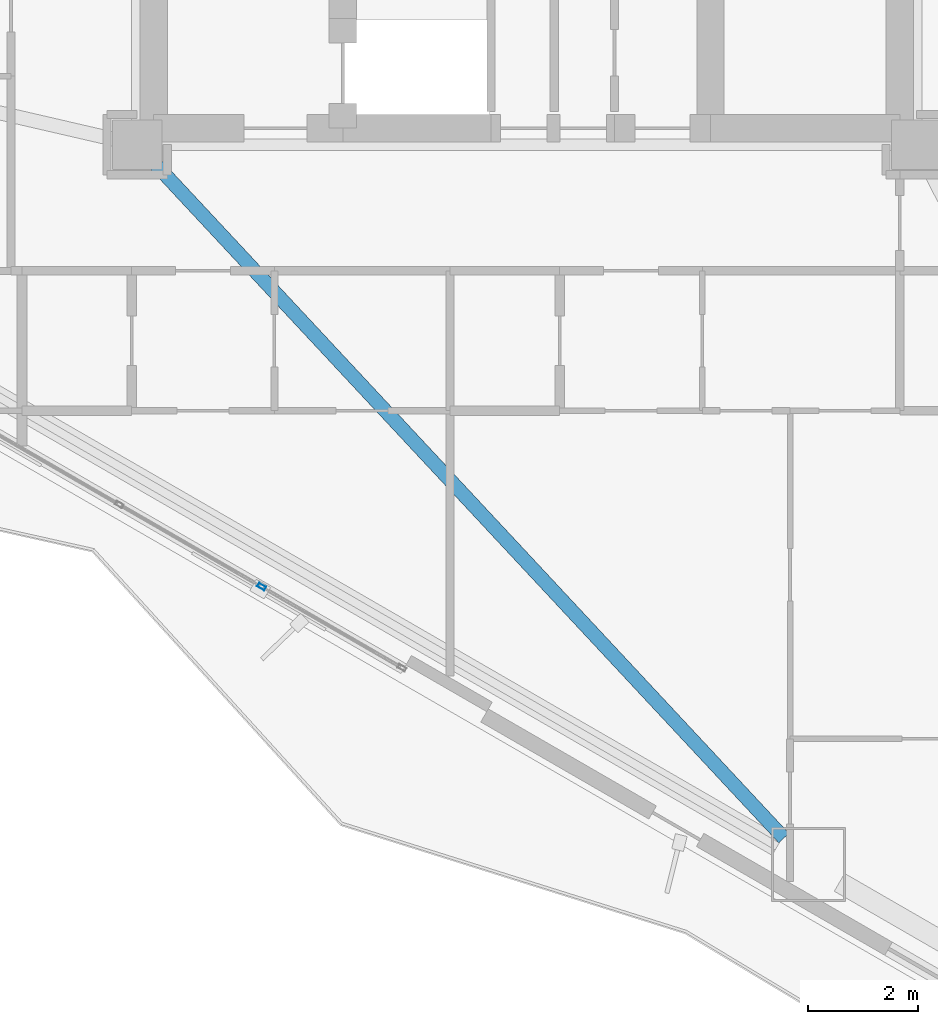
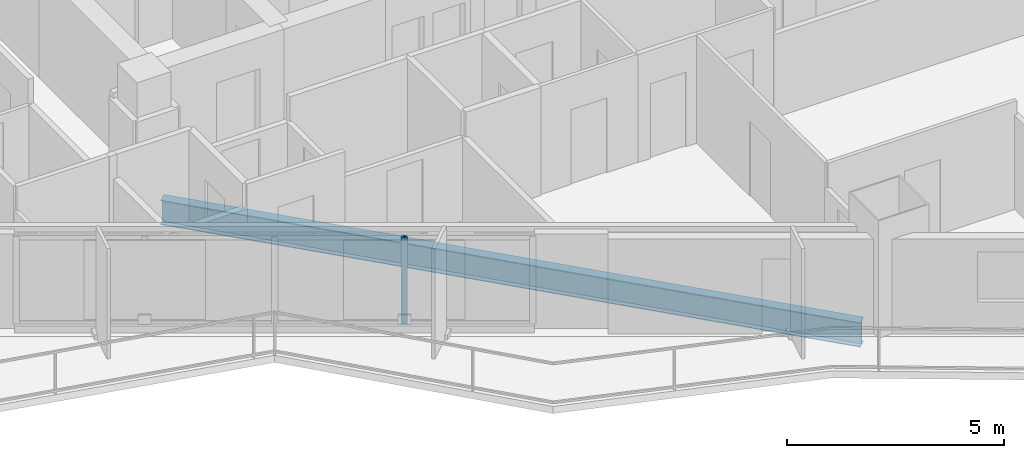
# One storey, part 4 of 18: 1 beam, 1 member, 1 element without a shape of its own.
"""IFC4 building model written with IfcOpenShell, lengths in metres."""

from ifc_helpers import new_model, si_unit, direction, frame, origin, origin_2d, place, context, subcontext, project, spatial, hollow_rectangle, i_section, extrude, material, layer, layer_set, material_profile, profile_set, type_object, element, aggregate, save


model = new_model("IFC4")

# Units and contexts
model_context = context("Model", 3, precision=1e-05, world=origin(), true_north=direction((0.0, 1.0)))
body_context = subcontext(model_context, "Body", "Model", "MODEL_VIEW")
ifc_project = project(units=[si_unit("LENGTHUNIT", "METRE"), si_unit("AREAUNIT", "SQUARE_METRE"), si_unit("VOLUMEUNIT", "CUBIC_METRE"), si_unit("PLANEANGLEUNIT", "RADIAN"), si_unit("MASSUNIT", "GRAM", prefix="KILO")], contexts=[model_context])

# Site, building, storey
site_placement = place(None, origin())
site = spatial("IfcSite", under=ifc_project, at=site_placement, CompositionType="ELEMENT")
building_placement = place(site_placement, origin())
building = spatial("IfcBuilding", under=site, at=building_placement, Name="Mersakhor Tower and Convention Hall", CompositionType="ELEMENT")
storey_placement = place(building_placement, frame((0.0, 0.0, 55.5)))
storey = spatial("IfcBuildingStorey", under=building, at=storey_placement, Name="L15", CompositionType="ELEMENT", Elevation=55.5)

# Beam
ifc_material_1 = material(Name="Steel S355", Category="steel")
ifc_material_profile_1 = material_profile(ifc_material_1, i_section(OverallWidth=0.25439453125, OverallDepth=0.6875, WebThickness=0.01318359375, FlangeThickness=0.02099609375, at=origin_2d()), Name="UB 686x254x152")
ifc_profile_set_1 = profile_set([ifc_material_profile_1], Name="Steel S355")
beam_type = type_object("IfcBeamType", Name="BM-PR-686", PredefinedType="BEAM", material=ifc_profile_set_1)
beam_placement = place(storey_placement, frame((22.193359375, 20.135498046875, -0.603759765625), z_axis=(0.68200435324, -0.731348112845, 0.0), x_axis=(0.731348112845, 0.68200435324, 0.0)))
element("IfcBeam", 1, at=beam_placement, inside=storey, type_object=beam_type, Name="L15 Primary Floor Girder FG-5", PredefinedType="BEAM", context=body_context, shape_type="SweptSolid", body=[
    extrude(i_section(OverallWidth=0.25439453125, OverallDepth=0.6875, WebThickness=0.01318359375, FlangeThickness=0.02099609375, at=origin_2d()), origin(), (0.0, 0.0, 1.0), 16.85205078125),
])

# Curtain wall, member
ifc_material_2 = material(Name="Dark solar low-E aluminium curtain wall", Category="aluminium")
ifc_layer = layer(ifc_material_2, 0.159912109375)
ifc_layer_set = layer_set([ifc_layer], Name="Dark solar low-E aluminium curtain wall")
curtain_wall_type = type_object("IfcCurtainWallType", Name="CW-SYS-01", PredefinedType="USERDEFINED", material=ifc_layer_set)
curtain_wall_placement = place(storey_placement, origin())
curtain_wall = element("IfcCurtainWall", 2, at=curtain_wall_placement, inside=storey, type_object=curtain_wall_type, Name="L15 Dark-Glass Curtain Wall F3-B2", ObjectType="CURTAIN WALL", PredefinedType="USERDEFINED")
ifc_material_3 = material(Name="Anodised aluminium EN AW-6063 T6", Category="aluminium")
ifc_material_profile_2 = material_profile(ifc_material_3, hollow_rectangle(XDim=0.074951171875, YDim=0.14990234375, WallThickness=0.00634765625, at=origin_2d()), Name="RHS 150x75x6.3")
ifc_profile_set_2 = profile_set([ifc_material_profile_2], Name="Anodised aluminium EN AW-6063 T6")
member_type = type_object("IfcMemberType", Name="CWM-150x75", PredefinedType="MULLION", material=ifc_profile_set_2)
member_placement = place(storey_placement, frame((24.167236328125, 12.392822265625, 0.199951171875), z_axis=(0.0, 0.0, 1.0), x_axis=(-0.50000344889, -0.866023412558, 0.0)))
member = element("IfcMember", 3, at=member_placement, type_object=member_type, Name="CW-01 mullion 2", PredefinedType="MULLION", context=body_context, shape_type="SweptSolid", body=[
    extrude(hollow_rectangle(XDim=0.074951171875, YDim=0.14990234375, WallThickness=0.00634765625, at=origin_2d()), origin(), (0.0, 0.0, 1.0), 2.4599609375),
])
aggregate(curtain_wall, [member])

save(model, "model.ifc")
